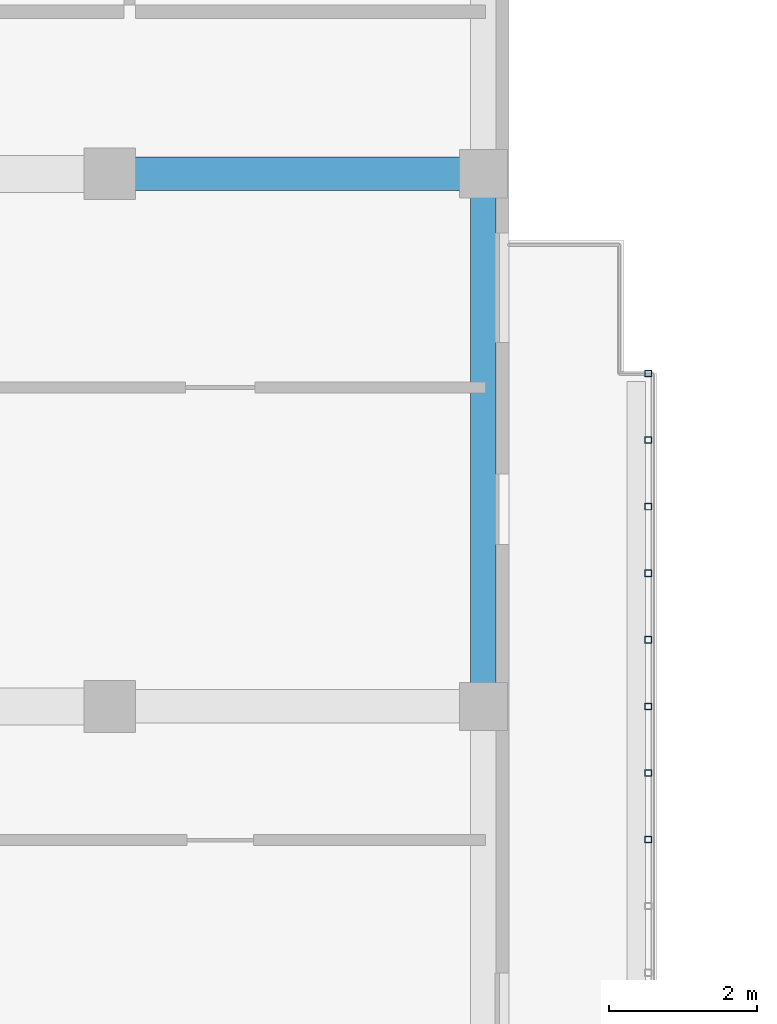
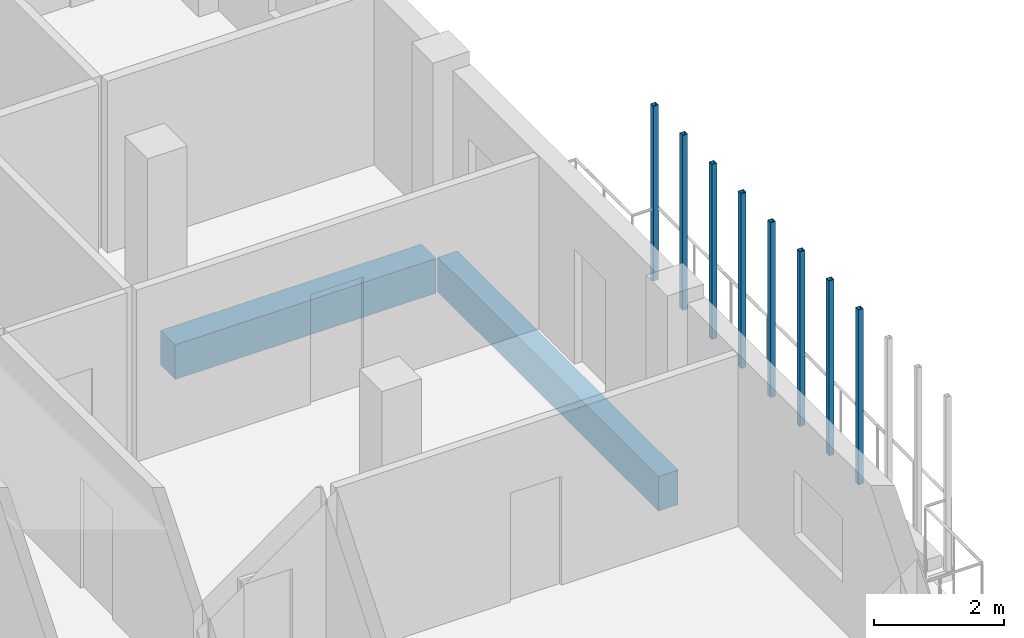
# One storey, part 19 of 73: 8 members, 2 beams.
"""IFC4 building model written with IfcOpenShell, lengths in metres."""

from ifc_helpers import new_model, si_unit, derived_unit, direction, frame, origin, origin_2d, place, context, subcontext, project, spatial, rectangle, hollow_rectangle, extrude, material, material_profile, profile_set, type_object, element, save


model = new_model("IFC4")

# Units and contexts
model_context = context("Model", 3, precision=1e-05, world=origin(), true_north=direction((0.0, 1.0)))
body_context = subcontext(model_context, "Body", "Model", "MODEL_VIEW")
ifc_project = project(units=[si_unit("LENGTHUNIT", "METRE"), si_unit("AREAUNIT", "SQUARE_METRE"), si_unit("VOLUMEUNIT", "CUBIC_METRE"), si_unit("PLANEANGLEUNIT", "RADIAN"), si_unit("MASSUNIT", "GRAM", prefix="KILO"), derived_unit("THERMALTRANSMITTANCEUNIT", [(si_unit("MASSUNIT", "GRAM", prefix="KILO"), 1), (si_unit("TIMEUNIT", "SECOND"), -3), (si_unit("THERMODYNAMICTEMPERATUREUNIT", "KELVIN"), -1)])], contexts=[model_context])

# Site, building, storey
site_placement = place(None, origin())
site = spatial("IfcSite", under=ifc_project, at=site_placement, CompositionType="ELEMENT")
building_placement = place(site_placement, origin())
building = spatial("IfcBuilding", under=site, at=building_placement, Name="Ochrekiln Boulevard Commons", CompositionType="ELEMENT")
storey_placement = place(building_placement, frame((0.0, 0.0, 8.574951171875)))
storey = spatial("IfcBuildingStorey", under=building, at=storey_placement, Name="L02", CompositionType="ELEMENT", Elevation=8.574951171875)

# Beam
ifc_material_1 = material(Name="Concrete C35/45", Category="concrete")
ifc_material_profile_1 = material_profile(ifc_material_1, rectangle(XDim=0.449951171875, YDim=0.64990234375, at=origin_2d()), Name="RC-BM-450x650")
ifc_profile_set_1 = profile_set([ifc_material_profile_1], Name="Concrete C35/45")
beam_type_1 = type_object("IfcBeamType", Name="BM-RC-450x650", PredefinedType="BEAM", material=ifc_profile_set_1)
beam_1_placement = place(storey_placement, frame((16.409912109375, 90.0, -0.5849609375), z_axis=(1.0, 0.0, 0.0), x_axis=(0.0, 1.0, 0.0)))
element("IfcBeam", 1, at=beam_1_placement, inside=storey, type_object=beam_type_1, Name="Block A L02 Beam B-4565 X11", PredefinedType="BEAM", context=body_context, shape_type="SweptSolid", body=[
    extrude(rectangle(XDim=0.449951171875, YDim=0.64990234375, at=origin_2d()), origin(), (0.0, 0.0, 1.0), 4.630126953125),
])

# Members
ifc_material_2 = material(Name="Steel A500 Grade C", Category="steel")
ifc_material_profile_2 = material_profile(ifc_material_2, hollow_rectangle(XDim=0.090087890625, YDim=0.090087890625, WallThickness=0.00634765625, at=origin_2d()), Name="HSS90X90X6.4")
ifc_profile_set_2 = profile_set([ifc_material_profile_2], Name="Steel A500 Grade C")
member_type = type_object("IfcMemberType", Name="MEM-PST-HSS90", PredefinedType="POST", material=ifc_profile_set_2)
for number, where, z_axis, x_axis, name in (
    (2, (23.47998046875, 81.0, 0.0), (0.0, 0.0, 1.0), (1.0, 0.0, 0.0), "Block A L02 Slim Vertical Balcony Post (48)"),
    (3, (23.47998046875, 81.89990234375, 0.0), (0.0, 0.0, 1.0), (1.0, 0.0, 0.0), "Block A L02 Slim Vertical Balcony Post (49)"),
    (4, (23.47998046875, 82.800048828125, 0.0), (0.0, 0.0, 1.0), (1.0, 0.0, 0.0), "Block A L02 Slim Vertical Balcony Post (50)"),
    (5, (23.47998046875, 83.699951171875, 0.0), (0.0, 0.0, 1.0), (1.0, 0.0, 0.0), "Block A L02 Slim Vertical Balcony Post (51)"),
    (6, (23.47998046875, 84.60009765625, 0.0), (0.0, 0.0, 1.0), (1.0, 0.0, 0.0), "Block A L02 Slim Vertical Balcony Post (52)"),
    (7, (23.47998046875, 85.5, 0.0), (0.0, 0.0, 1.0), (1.0, 0.0, 0.0), "Block A L02 Slim Vertical Balcony Post (53)"),
    (8, (23.47998046875, 86.39990234375, 0.0), (0.0, 0.0, 1.0), (1.0, 0.0, 0.0), "Block A L02 Slim Vertical Balcony Post (54)"),
    (9, (23.47998046875, 87.300048828125, 0.0), (0.0, 0.0, 1.0), (1.0, 0.0, 0.0), "Block A L02 Slim Vertical Balcony Post (55)"),
):
    element("IfcMember", number, at=place(storey_placement, frame(where, z_axis=z_axis, x_axis=x_axis)), inside=storey, type_object=member_type, Name=name, PredefinedType="POST", context=body_context, shape_type="SweptSolid", body=[
        extrude(hollow_rectangle(XDim=0.090087890625, YDim=0.090087890625, WallThickness=0.00634765625, at=origin_2d()), origin(), (0.0, 0.0, 1.0), 3.280029296875),
    ])

# Beam
ifc_material_3 = material(Name="Concrete C40/50", Category="concrete")
ifc_material_profile_3 = material_profile(ifc_material_3, rectangle(XDim=0.35009765625, YDim=0.64990234375, at=origin_2d()), Name="RC-SPN-350x650")
ifc_profile_set_3 = profile_set([ifc_material_profile_3], Name="Concrete C40/50")
beam_type_2 = type_object("IfcBeamType", Name="SPN-RC-350x650", PredefinedType="SPANDREL", material=ifc_profile_set_3)
beam_2_placement = place(storey_placement, frame((21.25, 83.010009765625, -0.5849609375), z_axis=(0.0, 1.0, 0.0), x_axis=(-1.0, 0.0, 0.0)))
element("IfcBeam", 10, at=beam_2_placement, inside=storey, type_object=beam_type_2, Name="Block A L02 Beam SP-3565 Y32", PredefinedType="SPANDREL", context=body_context, shape_type="SweptSolid", body=[
    extrude(rectangle(XDim=0.35009765625, YDim=0.64990234375, at=origin_2d()), origin(), (0.0, 0.0, 1.0), 6.780029296875),
])

save(model, "model.ifc")
